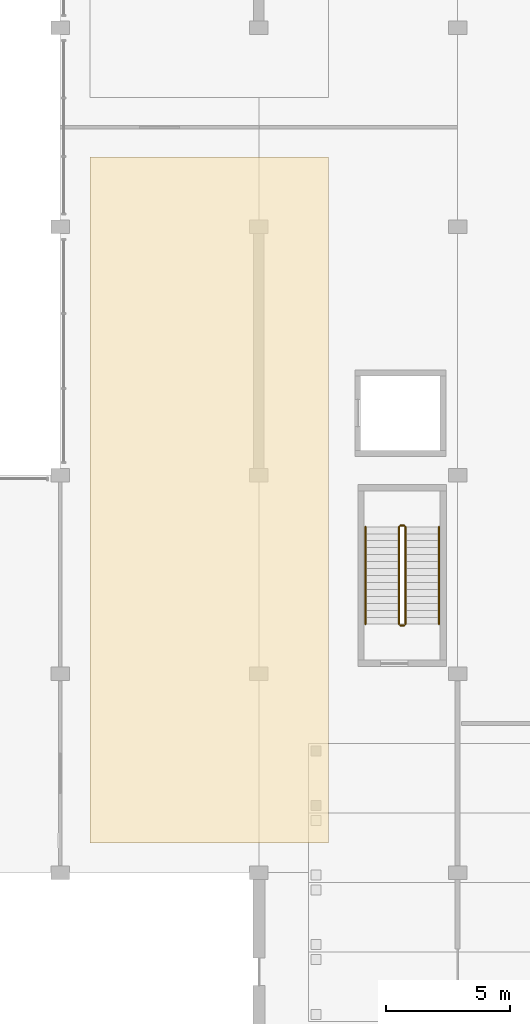
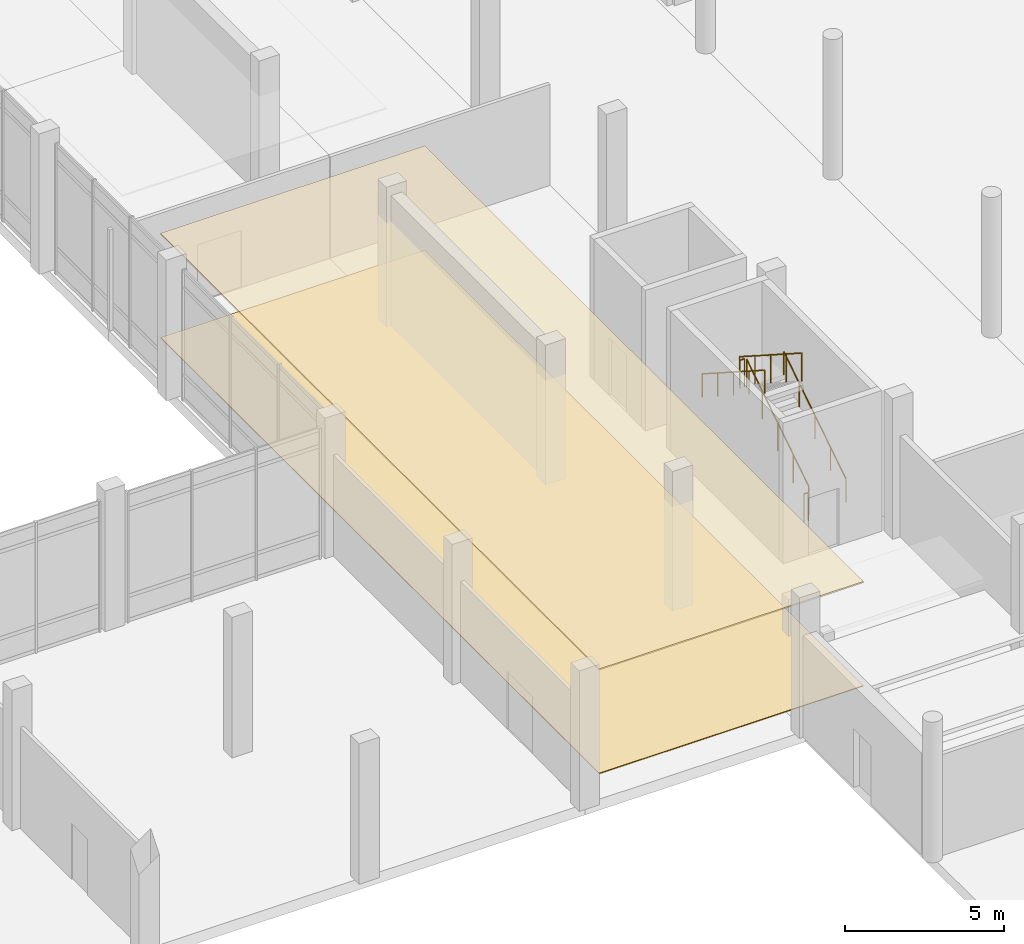
# One storey, part 34 of 42: 6 railings, 2 coverings.
"""IFC4 building model written with IfcOpenShell, lengths in metres."""

from ifc_helpers import new_model, si_unit, direction, frame, origin, origin_2d, place, context, subcontext, project, spatial, polyline, circle, outline, extrude, material, layer, layer_set, type_object, element, save


model = new_model("IFC4")

# Units and contexts
model_context = context("Model", 3, precision=1e-05, world=origin(), true_north=direction((0.0, 1.0)))
body_context = subcontext(model_context, "Body", "Model", "MODEL_VIEW")
ifc_project = project(units=[si_unit("LENGTHUNIT", "METRE"), si_unit("AREAUNIT", "SQUARE_METRE"), si_unit("VOLUMEUNIT", "CUBIC_METRE"), si_unit("PLANEANGLEUNIT", "RADIAN"), si_unit("MASSUNIT", "GRAM", prefix="KILO")], contexts=[model_context])

# Site, building, storey
site_placement = place(None, origin())
site = spatial("IfcSite", under=ifc_project, at=site_placement, CompositionType="ELEMENT")
building_placement = place(site_placement, origin())
building = spatial("IfcBuilding", under=site, at=building_placement, Name="Pecanmere Concourse Central Library", CompositionType="ELEMENT")
storey_placement = place(building_placement, origin())
storey = spatial("IfcBuildingStorey", under=building, at=storey_placement, Name="L01", CompositionType="ELEMENT", Elevation=0.0)

# Coverings
ifc_material_1 = material(Name="Solid white oak architectural joinery")
ifc_layer_1 = layer(ifc_material_1, 0.054931640625, Name="COV_CEIL_OAK_COFF")
ifc_layer_set_1 = layer_set([ifc_layer_1], Name="Solid white oak architectural joinery")
covering_type_1 = type_object("IfcCoveringType", Name="COV_CEIL_OAK_COFF", PredefinedType="CEILING", material=ifc_layer_set_1)
covering_1_placement = place(storey_placement, frame((0.0, 0.0, 3.97998046875)))
element("IfcCovering", 1, at=covering_1_placement, inside=storey, type_object=covering_type_1, Name="Acoustic Coffered Ceiling L01-002", PredefinedType="CEILING", context=body_context, shape_type="SweptSolid", body=[
    extrude(outline(polyline([(49.199951171875, 49.199951171875), (58.800048828125, 49.199951171875), (58.800048828125, 76.800048828125), (49.199951171875, 76.800048828125), (49.199951171875, 49.199951171875)])), origin(), (0.0, 0.0, 1.0), 0.054931640625),
])
ifc_material_2 = material(Name="Polished epoxy terrazzo finish")
ifc_layer_2 = layer(ifc_material_2, 0.030029296875, Name="COV_FLR_TERRAZZO")
ifc_layer_set_2 = layer_set([ifc_layer_2], Name="Polished epoxy terrazzo finish")
covering_type_2 = type_object("IfcCoveringType", Name="COV_FLR_TERRAZZO", PredefinedType="FLOORING", material=ifc_layer_set_2)
covering_2_placement = place(storey_placement, origin())
element("IfcCovering", 2, at=covering_2_placement, inside=storey, type_object=covering_type_2, Name="Finished Flooring L01-002", PredefinedType="FLOORING", context=body_context, shape_type="SweptSolid", body=[
    extrude(outline(polyline([(49.199951171875, 49.199951171875), (58.800048828125, 49.199951171875), (58.800048828125, 76.800048828125), (49.199951171875, 76.800048828125), (49.199951171875, 49.199951171875)])), origin(), (0.0, 0.0, 1.0), 0.030029296875),
])

# Railings
ifc_material_3 = material(Name="Painted architectural steel ASTM A36", Category="steel")
railing_type_1 = type_object("IfcRailingType", Name="RAIL_STAIR_GUARD", PredefinedType="GUARDRAIL", material=ifc_material_3)
railing_1_placement = place(storey_placement, frame((61.89990234375, 58.0, 0.179931640625)))
element("IfcRailing", 3, at=railing_1_placement, inside=storey, type_object=railing_type_1, Name="L01 ST-06 Guard 1", PredefinedType="GUARDRAIL", context=body_context, shape_type="SweptSolid", body=[
    extrude(circle(Radius=0.02392578125, at=origin_2d()), frame((0.0, 0.0, 1.076171875), z_axis=(0.0, 0.841171666519, 0.540768182723), x_axis=(-1.0, 0.0, 0.0)), (0.0, 0.0, 1.0), 4.66015625),
    extrude(circle(Radius=0.02099609375, at=origin_2d()), origin(), (0.0, 0.0, 1.0), 1.052001953125),
    extrude(circle(Radius=0.02099609375, at=origin_2d()), frame((0.0, 0.97998046875, 0.6298828125)), (0.0, 0.0, 1.0), 1.052001953125),
    extrude(circle(Radius=0.02099609375, at=origin_2d()), frame((0.0, 1.9599609375, 1.260009765625)), (0.0, 0.0, 1.0), 1.052001953125),
    extrude(circle(Radius=0.02099609375, at=origin_2d()), frame((0.0, 2.93994140625, 1.89013671875)), (0.0, 0.0, 1.0), 1.052001953125),
    extrude(circle(Radius=0.02099609375, at=origin_2d()), frame((0.0, 3.919921875, 2.52001953125)), (0.0, 0.0, 1.0), 1.052001953125),
])
railing_2_placement = place(storey_placement, frame((61.85009765625, 61.969970703125, 2.699951171875)))
element("IfcRailing", 4, at=railing_2_placement, inside=storey, type_object=railing_type_1, Name="L01 ST-06 Guard 2", PredefinedType="GUARDRAIL", context=body_context, shape_type="SweptSolid", body=[
    extrude(circle(Radius=0.02392578125, at=origin_2d()), frame((0.0, 0.0, 1.076171875), z_axis=(-1.0, 0.0, 0.0), x_axis=(0.0, -1.0, 0.0)), (0.0, 0.0, 1.0), 0.16015625),
    extrude(circle(Radius=0.02099609375, at=origin_2d()), origin(), (0.0, 0.0, 1.0), 1.052001953125),
    extrude(circle(Radius=0.02099609375, at=origin_2d()), frame((-0.16015625, 0.0, 0.0)), (0.0, 0.0, 1.0), 1.052001953125),
])
railing_3_placement = place(storey_placement, frame((61.639892578125, 61.919921875, 2.8798828125)))
element("IfcRailing", 5, at=railing_3_placement, inside=storey, type_object=railing_type_1, Name="L01 ST-06 Guard 3", PredefinedType="GUARDRAIL", context=body_context, shape_type="SweptSolid", body=[
    extrude(circle(Radius=0.02392578125, at=origin_2d()), frame((0.0, 0.0, 1.076171875), z_axis=(0.0, -0.841171666519, 0.540768182723), x_axis=(1.0, 0.0, 0.0)), (0.0, 0.0, 1.0), 4.66015625),
    extrude(circle(Radius=0.02099609375, at=origin_2d()), origin(), (0.0, 0.0, 1.0), 1.052001953125),
    extrude(circle(Radius=0.02099609375, at=origin_2d()), frame((0.0, -0.97998046875, 0.6298828125)), (0.0, 0.0, 1.0), 1.052001953125),
    extrude(circle(Radius=0.02099609375, at=origin_2d()), frame((0.0, -1.9599609375, 1.260009765625)), (0.0, 0.0, 1.0), 1.052001953125),
    extrude(circle(Radius=0.02099609375, at=origin_2d()), frame((0.0, -2.93994140625, 1.89013671875)), (0.0, 0.0, 1.0), 1.052001953125),
    extrude(circle(Radius=0.02099609375, at=origin_2d()), frame((0.0, -3.919921875, 2.52001953125)), (0.0, 0.0, 1.0), 1.052001953125),
])
railing_4_placement = place(storey_placement, frame((61.85009765625, 57.949951171875, 0.0)))
element("IfcRailing", 6, at=railing_4_placement, inside=storey, type_object=railing_type_1, Name="L01 ST-06 Guard 4", PredefinedType="GUARDRAIL", context=body_context, shape_type="SweptSolid", body=[
    extrude(circle(Radius=0.02392578125, at=origin_2d()), frame((0.0, 0.0, 1.076171875), z_axis=(-1.0, 0.0, 0.0), x_axis=(0.0, -1.0, 0.0)), (0.0, 0.0, 1.0), 0.16015625),
    extrude(circle(Radius=0.02099609375, at=origin_2d()), origin(), (0.0, 0.0, 1.0), 1.052001953125),
    extrude(circle(Radius=0.02099609375, at=origin_2d()), frame((-0.16015625, 0.0, 0.0)), (0.0, 0.0, 1.0), 1.052001953125),
])
ifc_material_4 = material(Name="Brushed stainless steel Grade 316", Category="steel")
railing_type_2 = type_object("IfcRailingType", Name="RAIL_STAIR_HR", PredefinedType="HANDRAIL", material=ifc_material_4)
railing_5_placement = place(storey_placement, frame((63.25, 58.0, 0.179931640625)))
element("IfcRailing", 7, at=railing_5_placement, inside=storey, type_object=railing_type_2, Name="L01 ST-06 Handrail 1", PredefinedType="HANDRAIL", context=body_context, shape_type="SweptSolid", body=[
    extrude(circle(Radius=0.02392578125, at=origin_2d()), frame((0.0, 0.0, 0.89111328125), z_axis=(0.0, 0.841171666519, 0.540768182723), x_axis=(-1.0, 0.0, 0.0)), (0.0, 0.0, 1.0), 4.66015625),
    extrude(circle(Radius=0.02099609375, at=origin_2d()), origin(), (0.0, 0.0, 1.0), 0.866943359375),
    extrude(circle(Radius=0.02099609375, at=origin_2d()), frame((0.0, 0.97998046875, 0.6298828125)), (0.0, 0.0, 1.0), 0.866943359375),
    extrude(circle(Radius=0.02099609375, at=origin_2d()), frame((0.0, 1.9599609375, 1.260009765625)), (0.0, 0.0, 1.0), 0.866943359375),
    extrude(circle(Radius=0.02099609375, at=origin_2d()), frame((0.0, 2.93994140625, 1.89013671875)), (0.0, 0.0, 1.0), 0.866943359375),
    extrude(circle(Radius=0.02099609375, at=origin_2d()), frame((0.0, 3.919921875, 2.52001953125)), (0.0, 0.0, 1.0), 0.866943359375),
])
railing_6_placement = place(storey_placement, frame((60.2900390625, 61.919921875, 2.8798828125)))
element("IfcRailing", 8, at=railing_6_placement, inside=storey, type_object=railing_type_2, Name="L01 ST-06 Handrail 2", PredefinedType="HANDRAIL", context=body_context, shape_type="SweptSolid", body=[
    extrude(circle(Radius=0.02392578125, at=origin_2d()), frame((0.0, 0.0, 0.89111328125), z_axis=(0.0, -0.841171666519, 0.540768182723), x_axis=(1.0, 0.0, 0.0)), (0.0, 0.0, 1.0), 4.66015625),
    extrude(circle(Radius=0.02099609375, at=origin_2d()), origin(), (0.0, 0.0, 1.0), 0.866943359375),
    extrude(circle(Radius=0.02099609375, at=origin_2d()), frame((0.0, -0.97998046875, 0.6298828125)), (0.0, 0.0, 1.0), 0.866943359375),
    extrude(circle(Radius=0.02099609375, at=origin_2d()), frame((0.0, -1.9599609375, 1.260009765625)), (0.0, 0.0, 1.0), 0.866943359375),
    extrude(circle(Radius=0.02099609375, at=origin_2d()), frame((0.0, -2.93994140625, 1.89013671875)), (0.0, 0.0, 1.0), 0.866943359375),
    extrude(circle(Radius=0.02099609375, at=origin_2d()), frame((0.0, -3.919921875, 2.52001953125)), (0.0, 0.0, 1.0), 0.866943359375),
])

save(model, "model.ifc")
